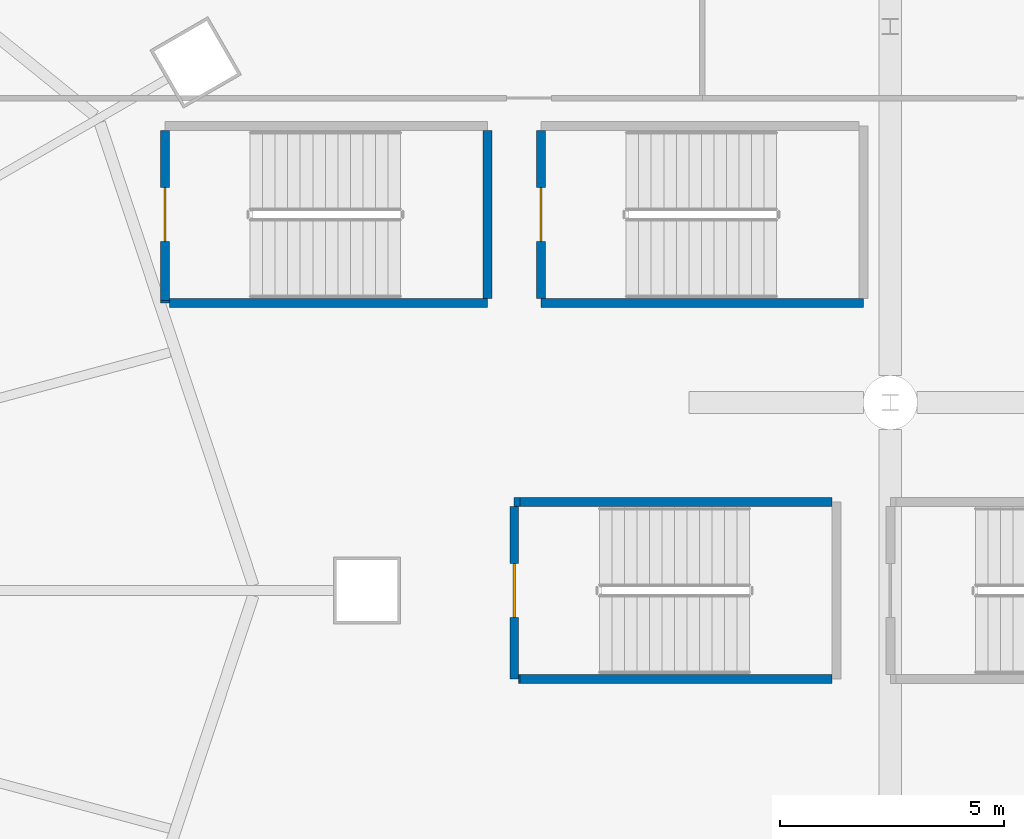
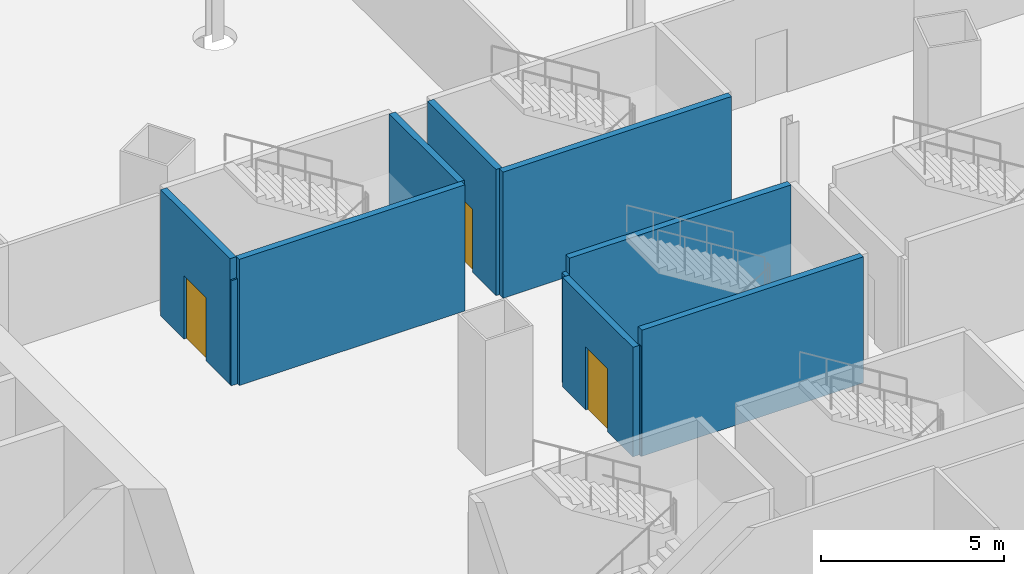
# One storey, part 39 of 56: 11 walls, 3 doors, 3 openings.
"""IFC4 building model written with IfcOpenShell, lengths in metres."""

from ifc_helpers import new_model, si_unit, direction, frame, frame_2d, origin, place, context, subcontext, project, spatial, rectangle, extrude, material, layer, layer_set, type_object, element, fill, save


model = new_model("IFC4")

# Units and contexts
model_context = context("Model", 3, precision=1e-05, world=origin(), true_north=direction((0.0, 1.0)))
body_context = subcontext(model_context, "Body", "Model", "MODEL_VIEW")
ifc_project = project(units=[si_unit("LENGTHUNIT", "METRE"), si_unit("AREAUNIT", "SQUARE_METRE"), si_unit("VOLUMEUNIT", "CUBIC_METRE"), si_unit("PLANEANGLEUNIT", "RADIAN"), si_unit("MASSUNIT", "GRAM", prefix="KILO")], contexts=[model_context])

# Site, building, storey
site_placement = place(None, origin())
site = spatial("IfcSite", under=ifc_project, at=site_placement, CompositionType="ELEMENT")
building_placement = place(site_placement, origin())
building = spatial("IfcBuilding", under=site, at=building_placement, Name="Rimbun Link Towers", CompositionType="ELEMENT")
storey_placement = place(building_placement, frame((0.0, 0.0, 16.5)))
storey = spatial("IfcBuildingStorey", under=building, at=storey_placement, Name="L03", CompositionType="ELEMENT", Elevation=16.5)

# Wall, opening, door
ifc_material_1 = material(Name="Concrete C40/50", Category="concrete")
ifc_layer = layer(ifc_material_1, 0.199951171875)
ifc_layer_set = layer_set([ifc_layer], Name="Stair shaft wall 200")
wall_type = type_object("IfcWallType", Name="Stair shaft wall 200", PredefinedType="SOLIDWALL", material=ifc_layer_set)
wall_1_placement = place(storey_placement, frame((-12.0, 10.27490234375, 0.0), z_axis=(0.0, 0.0, 1.0), x_axis=(0.0, -1.0, 0.0)))
wall_1 = element("IfcWall", 1, at=wall_1_placement, inside=storey, type_object=wall_type, Name="PD/PW/L03/010", PredefinedType="SOLIDWALL", context=body_context, shape_type="SweptSolid", body=[
    extrude(rectangle(XDim=3.794677734375, YDim=0.199951171875, at=frame_2d((1.8974609375, 0.0))), origin(), (0.0, 0.0, 1.0), 4.199951171875),
])
opening_1_placement = place(wall_1_placement, frame((1.27490234375, 0.0, 0.0)))
opening_1 = element("IfcOpeningElement", 2, at=opening_1_placement, cuts=wall_1, Name="Opening PD DS3", PredefinedType="OPENING", context=body_context, shape_type="SweptSolid", body=[
    extrude(rectangle(XDim=1.199951171875, YDim=2.10009765625, at=frame_2d((0.60009765625, 1.050048828125))), frame((0.0, 0.10986328125, 0.0), z_axis=(0.0, -1.0, 0.0), x_axis=(1.0, 0.0, 0.0)), (0.0, 0.0, 1.0), 0.219970703125),
])
ifc_material_2 = material(Name="Steel fire door set", Category="steel")
door_type = type_object("IfcDoorType", Name="Stair door", OperationType="SINGLE_SWING_LEFT", PredefinedType="DOOR", material=ifc_material_2)
door_1_placement = place(opening_1_placement, frame((1.199951171875, 0.0, 0.0), z_axis=(0.0, 0.0, 1.0), x_axis=(-1.0, 0.0, 0.0)))
door_1 = element("IfcDoor", 3, at=door_1_placement, inside=storey, type_object=door_type, Name="PD/DR/L03/S3", OperationType="SINGLE_SWING_LEFT", OverallHeight=2.10009765625, OverallWidth=1.199951171875, PredefinedType="DOOR", context=body_context, shape_type="SweptSolid", body=[
    extrude(rectangle(XDim=1.199951171875, YDim=2.10009765625, at=frame_2d((0.60009765625, 1.050048828125))), frame((0.0, 0.02490234375, 0.0), z_axis=(0.0, -1.0, 0.0), x_axis=(1.0, 0.0, 0.0)), (0.0, 0.0, 1.0), 0.050048828125),
])
fill(opening_1, door_1)

# Walls
wall_2_placement = place(storey_placement, frame((-12.0, 6.480224609375, 0.0), z_axis=(0.0, 0.0, 1.0), x_axis=(0.0, -1.0, 0.0)))
element("IfcWall", 4, at=wall_2_placement, inside=storey, type_object=wall_type, Name="PD/PW/L03/010b", PredefinedType="SOLIDWALL", context=body_context, shape_type="SweptSolid", body=[
    extrude(rectangle(XDim=0.05517578125, YDim=0.199951171875, at=frame_2d((0.027587890625, 0.0))), origin(), (0.0, 0.0, 1.0), 3.49609375),
])
wall_3_placement = place(storey_placement, frame((-11.89990234375, 6.425048828125, 0.0), z_axis=(0.0, 0.0, 1.0), x_axis=(1.0, 0.0, 0.0)))
element("IfcWall", 5, at=wall_3_placement, inside=storey, type_object=wall_type, Name="PD/PW/L03/011", PredefinedType="SOLIDWALL", context=body_context, shape_type="SweptSolid", body=[
    extrude(rectangle(XDim=7.099853515625, YDim=0.199951171875, at=frame_2d((3.5498046875, 0.0))), origin(), (0.0, 0.0, 1.0), 4.199951171875),
])
wall_4_placement = place(storey_placement, frame((-4.800048828125, 6.52490234375, 0.0), z_axis=(0.0, 0.0, 1.0), x_axis=(0.0, 1.0, 0.0)))
element("IfcWall", 6, at=wall_4_placement, inside=storey, type_object=wall_type, Name="PD/PW/L03/012", PredefinedType="SOLIDWALL", context=body_context, shape_type="SweptSolid", body=[
    extrude(rectangle(XDim=3.75, YDim=0.199951171875, at=frame_2d((1.875, 0.0))), origin(), (0.0, 0.0, 1.0), 4.199951171875),
])
wall_5_placement = place(storey_placement, frame((-3.60009765625, 6.425048828125, 0.0), z_axis=(0.0, 0.0, 1.0), x_axis=(1.0, 0.0, 0.0)))
element("IfcWall", 7, at=wall_5_placement, inside=storey, type_object=wall_type, Name="PD/PW/L03/013", PredefinedType="SOLIDWALL", context=body_context, shape_type="SweptSolid", body=[
    extrude(rectangle(XDim=7.2001953125, YDim=0.199951171875, at=frame_2d((3.60009765625, 0.0))), origin(), (0.0, 0.0, 1.0), 4.199951171875),
])

# Wall, opening, door
wall_6_placement = place(storey_placement, frame((-3.60009765625, 10.27490234375, 0.0), z_axis=(0.0, 0.0, 1.0), x_axis=(0.0, -1.0, 0.0)))
wall_6 = element("IfcWall", 8, at=wall_6_placement, inside=storey, type_object=wall_type, Name="PD/PW/L03/016", PredefinedType="SOLIDWALL", context=body_context, shape_type="SweptSolid", body=[
    extrude(rectangle(XDim=3.75, YDim=0.199951171875, at=frame_2d((1.875, 0.0))), origin(), (0.0, 0.0, 1.0), 4.199951171875),
])
opening_2_placement = place(wall_6_placement, frame((1.27490234375, 0.0, 0.0)))
opening_2 = element("IfcOpeningElement", 9, at=opening_2_placement, cuts=wall_6, Name="Opening PD DS4", PredefinedType="OPENING", context=body_context, shape_type="SweptSolid", body=[
    extrude(rectangle(XDim=1.199951171875, YDim=2.10009765625, at=frame_2d((0.60009765625, 1.050048828125))), frame((0.0, 0.10986328125, 0.0), z_axis=(0.0, -1.0, 0.0), x_axis=(1.0, 0.0, 0.0)), (0.0, 0.0, 1.0), 0.219970703125),
])
door_2_placement = place(opening_2_placement, frame((1.199951171875, 0.0, 0.0), z_axis=(0.0, 0.0, 1.0), x_axis=(-1.0, 0.0, 0.0)))
door_2 = element("IfcDoor", 10, at=door_2_placement, inside=storey, type_object=door_type, Name="PD/DR/L03/S4", OperationType="SINGLE_SWING_LEFT", OverallHeight=2.10009765625, OverallWidth=1.199951171875, PredefinedType="DOOR", context=body_context, shape_type="SweptSolid", body=[
    extrude(rectangle(XDim=1.199951171875, YDim=2.10009765625, at=frame_2d((0.60009765625, 1.050048828125))), frame((0.0, 0.02490234375, 0.0), z_axis=(0.0, -1.0, 0.0), x_axis=(1.0, 0.0, 0.0)), (0.0, 0.0, 1.0), 0.050048828125),
])
fill(opening_2, door_2)

# Walls
wall_7_placement = place(storey_placement, frame((2.89990234375, 1.97509765625, 0.0), z_axis=(0.0, 0.0, 1.0), x_axis=(-1.0, 0.0, 0.0)))
element("IfcWall", 11, at=wall_7_placement, inside=storey, type_object=wall_type, Name="PD/PW/L03/022", PredefinedType="SOLIDWALL", context=body_context, shape_type="SweptSolid", body=[
    extrude(rectangle(XDim=6.975341796875, YDim=0.199951171875, at=frame_2d((3.48779296875, 0.0))), origin(), (0.0, 0.0, 1.0), 4.199951171875),
])
wall_8_placement = place(storey_placement, frame((-4.075439453125, 1.97509765625, 0.0), z_axis=(0.0, 0.0, 1.0), x_axis=(-1.0, 0.0, 0.0)))
element("IfcWall", 12, at=wall_8_placement, inside=storey, type_object=wall_type, Name="PD/PW/L03/022b", PredefinedType="SOLIDWALL", context=body_context, shape_type="SweptSolid", body=[
    extrude(rectangle(XDim=0.12451171875, YDim=0.199951171875, at=frame_2d((0.062255859375, 0.0))), origin(), (0.0, 0.0, 1.0), 3.64697265625),
])

# Wall, opening, door
wall_9_placement = place(storey_placement, frame((-4.199951171875, 1.875, 0.0), z_axis=(0.0, 0.0, 1.0), x_axis=(0.0, -1.0, 0.0)))
wall_9 = element("IfcWall", 13, at=wall_9_placement, inside=storey, type_object=wall_type, Name="PD/PW/L03/023", PredefinedType="SOLIDWALL", context=body_context, shape_type="SweptSolid", body=[
    extrude(rectangle(XDim=3.85009765625, YDim=0.199951171875, at=frame_2d((1.925048828125, 0.0))), origin(), (0.0, 0.0, 1.0), 3.64697265625),
])
opening_3_placement = place(wall_9_placement, frame((1.27490234375, 0.0, 0.0)))
opening_3 = element("IfcOpeningElement", 14, at=opening_3_placement, cuts=wall_9, Name="Opening PD DS6", PredefinedType="OPENING", context=body_context, shape_type="SweptSolid", body=[
    extrude(rectangle(XDim=1.199951171875, YDim=2.10009765625, at=frame_2d((0.60009765625, 1.050048828125))), frame((0.0, 0.10986328125, 0.0), z_axis=(0.0, -1.0, 0.0), x_axis=(1.0, 0.0, 0.0)), (0.0, 0.0, 1.0), 0.219970703125),
])
door_3_placement = place(opening_3_placement, frame((1.199951171875, 0.0, 0.0), z_axis=(0.0, 0.0, 1.0), x_axis=(-1.0, 0.0, 0.0)))
door_3 = element("IfcDoor", 15, at=door_3_placement, inside=storey, type_object=door_type, Name="PD/DR/L03/S6", OperationType="SINGLE_SWING_LEFT", OverallHeight=2.10009765625, OverallWidth=1.199951171875, PredefinedType="DOOR", context=body_context, shape_type="SweptSolid", body=[
    extrude(rectangle(XDim=1.199951171875, YDim=2.10009765625, at=frame_2d((0.60009765625, 1.050048828125))), frame((0.0, 0.02490234375, 0.0), z_axis=(0.0, -1.0, 0.0), x_axis=(1.0, 0.0, 0.0)), (0.0, 0.0, 1.0), 0.050048828125),
])
fill(opening_3, door_3)

# Walls
wall_10_placement = place(storey_placement, frame((-4.10009765625, -1.97509765625, 0.0), z_axis=(0.0, 0.0, 1.0), x_axis=(1.0, 0.0, 0.0)))
element("IfcWall", 16, at=wall_10_placement, inside=storey, type_object=wall_type, Name="PD/PW/L03/024", PredefinedType="SOLIDWALL", context=body_context, shape_type="SweptSolid", body=[
    extrude(rectangle(XDim=0.024658203125, YDim=0.199951171875, at=frame_2d((0.01220703125, 0.0))), origin(), (0.0, 0.0, 1.0), 3.64697265625),
])
wall_11_placement = place(storey_placement, frame((-4.075439453125, -1.97509765625, 0.0), z_axis=(0.0, 0.0, 1.0), x_axis=(1.0, 0.0, 0.0)))
element("IfcWall", 17, at=wall_11_placement, inside=storey, type_object=wall_type, Name="PD/PW/L03/024b", PredefinedType="SOLIDWALL", context=body_context, shape_type="SweptSolid", body=[
    extrude(rectangle(XDim=6.975341796875, YDim=0.199951171875, at=frame_2d((3.48779296875, 0.0))), origin(), (0.0, 0.0, 1.0), 4.199951171875),
])

save(model, "model.ifc")
